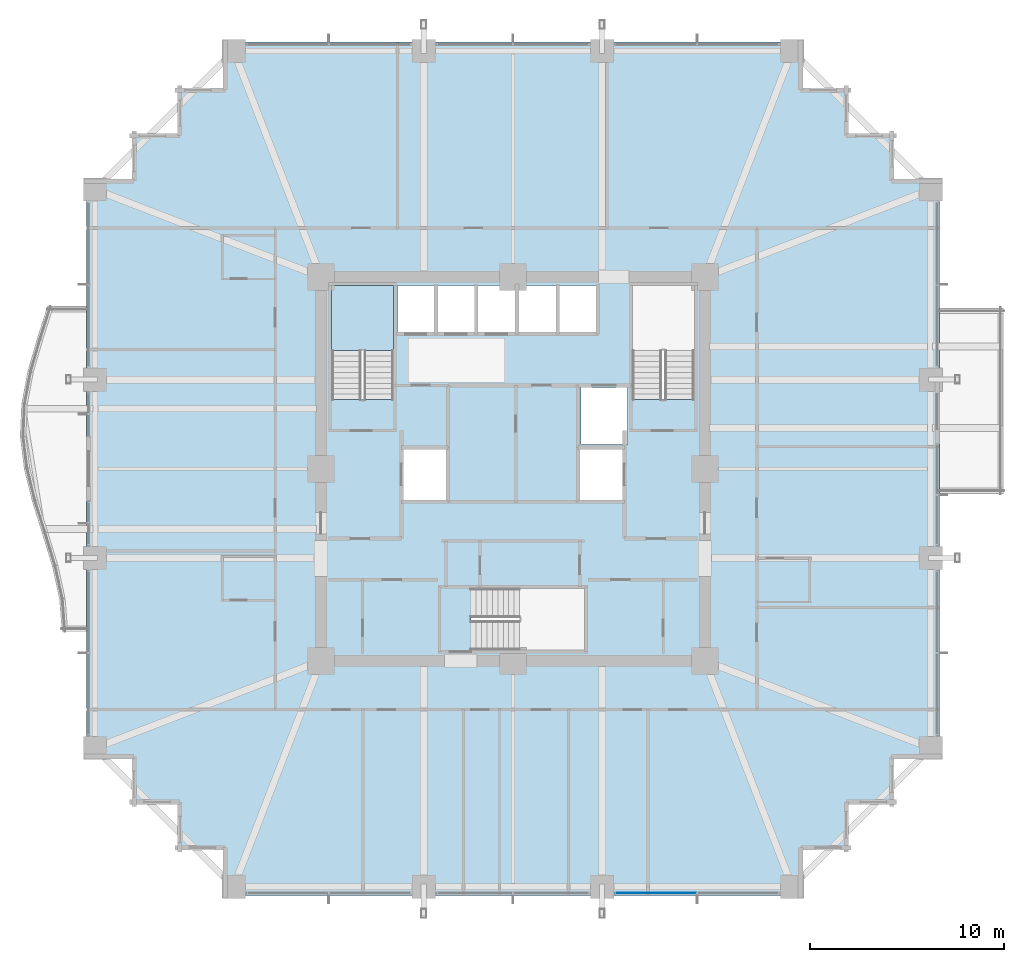
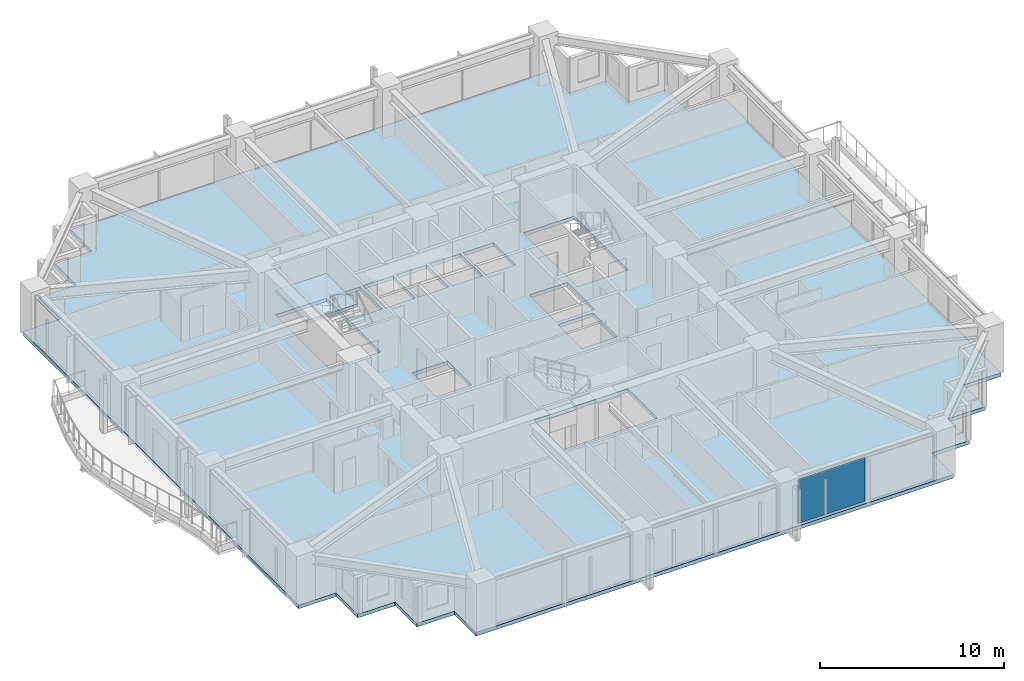
# One storey, part 29 of 38: 2 slabs, 1 plate, 2 elements without a shape of their own.
"""IFC4 building model written with IfcOpenShell, lengths in metres."""

from ifc_helpers import new_model, si_unit, direction, frame, origin, origin_2d, place, context, subcontext, project, spatial, polyline, rectangle, outline, extrude, material, layer, layer_set, type_object, element, aggregate, save


model = new_model("IFC4")

# Units and contexts
model_context = context("Model", 3, precision=1e-05, world=origin(), true_north=direction((0.0, 1.0)))
body_context = subcontext(model_context, "Body", "Model", "MODEL_VIEW")
ifc_project = project(units=[si_unit("LENGTHUNIT", "METRE"), si_unit("AREAUNIT", "SQUARE_METRE"), si_unit("VOLUMEUNIT", "CUBIC_METRE"), si_unit("PLANEANGLEUNIT", "RADIAN"), si_unit("MASSUNIT", "GRAM", prefix="KILO")], contexts=[model_context])

# Site, building, storey
site_placement = place(None, origin())
site = spatial("IfcSite", under=ifc_project, at=site_placement, CompositionType="ELEMENT")
building_placement = place(site_placement, origin())
building = spatial("IfcBuilding", under=site, at=building_placement, Name="Kolvaren Belvedere", CompositionType="ELEMENT")
storey_placement = place(building_placement, frame((0.0, 0.0, 53.5)))
storey = spatial("IfcBuildingStorey", under=building, at=storey_placement, Name="L15", CompositionType="ELEMENT", Elevation=53.5)

# Curtain wall, plate
ifc_material_1 = material(Name="Anodised pale-metal aluminium AA 6063-T6", Category="aluminium")
curtain_wall_type = type_object("IfcCurtainWallType", Name="CW-Z1-LOW", PredefinedType="NOTDEFINED", material=ifc_material_1)
curtain_wall_placement = place(storey_placement, origin())
curtain_wall = element("IfcCurtainWall", 1, at=curtain_wall_placement, inside=storey, type_object=curtain_wall_type, Name="L15 Unitised Curtain Wall FCW-L15-S-B1", PredefinedType="NOTDEFINED")
ifc_material_2 = material(Name="Low-iron triple insulated glass", Category="glass")
ifc_layer_1 = layer(ifc_material_2, 0.028076171875)
ifc_layer_set_1 = layer_set([ifc_layer_1], Name="Low-iron triple insulated glass")
plate_type = type_object("IfcPlateType", Name="CW-PNL-VIS28", PredefinedType="CURTAIN_PANEL", material=ifc_layer_set_1)
plate_placement = place(storey_placement, frame((7.37744140625, -21.8798828125, 0.080078125), z_axis=(0.0, 0.0, 1.0), x_axis=(-1.0, 0.0, 0.0)))
plate = element("IfcPlate", 2, at=plate_placement, type_object=plate_type, Name="FCW-L15-S-B1 Vision Glazing Panel 2", PredefinedType="CURTAIN_PANEL", context=body_context, shape_type="SweptSolid", body=[
    extrude(rectangle(XDim=4.1650390625, YDim=0.028076171875, at=origin_2d()), origin(), (0.0, 0.0, 1.0), 2.89990234375),
])
aggregate(curtain_wall, [plate])

# Slab
ifc_material_3 = material(Name="Concrete C50/60", Category="concrete")
ifc_layer_2 = layer(ifc_material_3, 0.239990234375)
ifc_layer_set_2 = layer_set([ifc_layer_2], Name="Concrete C50/60")
slab_type_1 = type_object("IfcSlabType", Name="SL-FLR-240", PredefinedType="FLOOR", material=ifc_layer_set_2)
slab_1_placement = place(storey_placement, frame((0.0, 0.0, -0.239990234375)))
element("IfcSlab", 3, at=slab_1_placement, inside=storey, type_object=slab_type_1, Name="L15 Primary Structural Slab", PredefinedType="FLOOR", context=body_context, shape_type="SweptSolid", body=[
    extrude(outline(polyline([(-14.949951171875, -22.0), (14.949951171875, -22.0), (14.949951171875, -19.64990234375), (17.300048828125, -19.64990234375), (17.300048828125, -17.300048828125), (19.64990234375, -17.300048828125), (19.64990234375, -14.949951171875), (22.0, -14.949951171875), (22.0, 14.949951171875), (19.64990234375, 14.949951171875), (19.64990234375, 17.300048828125), (17.300048828125, 17.300048828125), (17.300048828125, 19.64990234375), (14.949951171875, 19.64990234375), (14.949951171875, 22.0), (-14.949951171875, 22.0), (-14.949951171875, 19.64990234375), (-17.300048828125, 19.64990234375), (-17.300048828125, 17.300048828125), (-19.64990234375, 17.300048828125), (-19.64990234375, 14.949951171875), (-22.0, 14.949951171875), (-22.0, -14.949951171875), (-19.64990234375, -14.949951171875), (-19.64990234375, -17.300048828125), (-17.300048828125, -17.300048828125), (-17.300048828125, -19.64990234375), (-14.949951171875, -19.64990234375), (-14.949951171875, -22.0)]), holes=[polyline([(-9.35009765625, 3.580078125), (-6.159912109375, 3.580078125), (-6.159912109375, 9.449951171875), (-9.35009765625, 9.449951171875), (-9.35009765625, 3.580078125)]), polyline([(6.159912109375, 3.580078125), (9.35009765625, 3.580078125), (9.35009765625, 9.449951171875), (6.159912109375, 9.449951171875), (6.159912109375, 3.580078125)]), polyline([(-2.169921875, -9.35009765625), (3.699951171875, -9.35009765625), (3.699951171875, -6.159912109375), (-2.169921875, -6.159912109375), (-2.169921875, -9.35009765625)]), polyline([(-5.64990234375, -1.60009765625), (-3.449951171875, -1.60009765625), (-3.449951171875, 1.0), (-5.64990234375, 1.0), (-5.64990234375, -1.60009765625)]), polyline([(3.5, 1.25), (5.89990234375, 1.25), (5.89990234375, 4.199951171875), (3.5, 4.199951171875), (3.5, 1.25)]), polyline([(3.449951171875, -1.60009765625), (5.64990234375, -1.60009765625), (5.64990234375, 1.0), (3.449951171875, 1.0), (3.449951171875, -1.60009765625)]), polyline([(-5.9599609375, 7.050048828125), (-4.06005859375, 7.050048828125), (-4.06005859375, 9.449951171875), (-5.9599609375, 9.449951171875), (-5.9599609375, 7.050048828125)]), polyline([(-3.8798828125, 7.050048828125), (-1.97998046875, 7.050048828125), (-1.97998046875, 9.449951171875), (-3.8798828125, 9.449951171875), (-3.8798828125, 7.050048828125)]), polyline([(-1.800048828125, 7.050048828125), (0.10009765625, 7.050048828125), (0.10009765625, 9.449951171875), (-1.800048828125, 9.449951171875), (-1.800048828125, 7.050048828125)]), polyline([(0.320068359375, 7.050048828125), (2.219970703125, 7.050048828125), (2.219970703125, 9.449951171875), (0.320068359375, 9.449951171875), (0.320068359375, 7.050048828125)]), polyline([(2.39990234375, 7.050048828125), (4.300048828125, 7.050048828125), (4.300048828125, 9.449951171875), (2.39990234375, 9.449951171875), (2.39990234375, 7.050048828125)])]), origin(), (0.0, 0.0, 1.0), 0.239990234375),
])

# Stair, slab
ifc_material_4 = material(Name="Concrete C50/60", Category="concrete")
stair_type = type_object("IfcStairType", Name="ST-CORE-1520", PredefinedType="HALF_TURN_STAIR", material=ifc_material_4)
stair_placement = place(storey_placement, origin())
stair = element("IfcStair", 4, at=stair_placement, inside=storey, type_object=stair_type, Name="L15 Protected Exit Stair ST-1", PredefinedType="HALF_TURN_STAIR")
ifc_material_5 = material(Name="Concrete C50/60", Category="concrete")
ifc_layer_3 = layer(ifc_material_5, 0.260009765625)
ifc_layer_set_3 = layer_set([ifc_layer_3], Name="Concrete C50/60")
slab_type_2 = type_object("IfcSlabType", Name="SL-LAND-260", PredefinedType="LANDING", material=ifc_layer_set_3)
slab_2_placement = place(storey_placement, frame((0.0, 0.0, 1.449951171875)))
slab_2 = element("IfcSlab", 5, at=slab_2_placement, type_object=slab_type_2, Name="ST-1 landing 1", PredefinedType="LANDING", context=body_context, shape_type="SweptSolid", body=[
    extrude(outline(polyline([(-6.159912109375, 6.090087890625), (-6.159912109375, 9.449951171875), (-9.35009765625, 9.449951171875), (-9.35009765625, 6.090087890625), (-6.159912109375, 6.090087890625)])), origin(), (0.0, 0.0, 1.0), 0.199951171875),
])
aggregate(stair, [slab_2])

save(model, "model.ifc")
